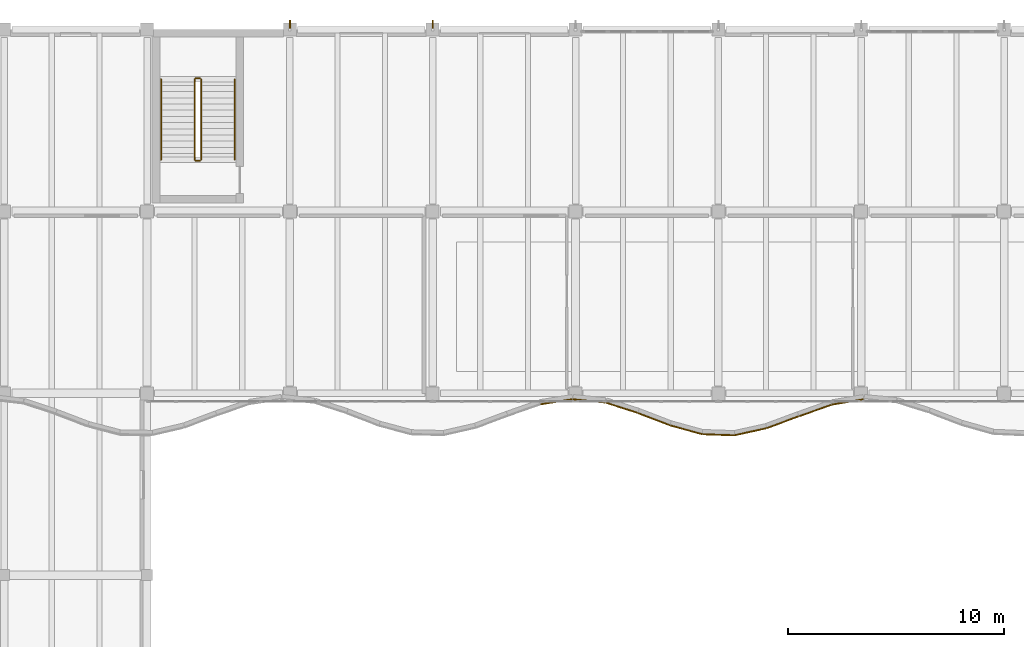
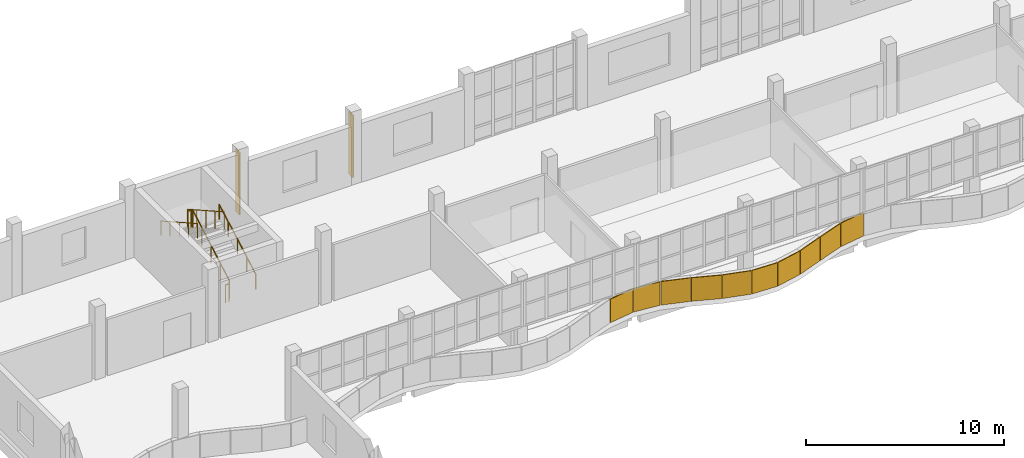
# One storey, part 69 of 76: 10 coverings, 6 railings, 2 shading devices.
"""IFC4 building model written with IfcOpenShell, lengths in metres."""

import ifcopenshell
import ifcopenshell.guid

model = None  # the IFC model being written
_history = None  # IfcOwnerHistory: only IFC2X3 demands one
_inside = {}  # id of a spatial element -> (the spatial element, [elements in it])
_under = {}  # id of a project, library or spatial element -> (it, [spatial elements below it])
_declared = {}  # id of a project -> (the project, [libraries it declares])
_typed = {}  # id of a type object -> (the type object, [elements of that type])
_made_of = {}  # id of a material, layer set ... -> (it, [elements and type objects made of it])


def new_model(schema):
    """Start an empty IFC model of exactly this schema.

    Asked for "IFC4X3", IfcOpenShell would pick the latest addendum, in which some entities
    have other attributes; the version numbers below select the first issue.
    IFC2X3 requires an IfcOwnerHistory on every rooted entity: one is made here for all.
    """
    global model, _history
    if schema == "IFC4X3":
        model = ifcopenshell.file(schema_version=(4, 3, 0, 0))
    else:
        model = ifcopenshell.file(schema=schema)
    _inside.clear()
    _under.clear()
    _declared.clear()
    _typed.clear()
    _made_of.clear()
    _history = None
    if model.schema == "IFC2X3":
        org = make("IfcOrganization", Name="unknown")
        user = make(
            "IfcPersonAndOrganization",
            ThePerson=make("IfcPerson", FamilyName="unknown"),
            TheOrganization=org,
        )
        app = make(
            "IfcApplication",
            ApplicationDeveloper=org,
            Version="unknown",
            ApplicationFullName="unknown",
            ApplicationIdentifier="unknown",
        )
        _history = make(
            "IfcOwnerHistory",
            OwningUser=user,
            OwningApplication=app,
            ChangeAction="ADDED",
            CreationDate=0,
        )
    return model


def make(cls, **values):
    """One entity of the class cls with the attributes given. An attribute that is None is left unset."""
    return model.create_entity(
        cls, **{name: value for name, value in values.items() if value is not None}
    )


def rooted(cls, **values):
    """An entity with a GlobalId (a new one), such as an element, a storey or a relation."""
    return make(cls, GlobalId=ifcopenshell.guid.new(), OwnerHistory=_history, **values)


def si_unit(unit_type, name, prefix=None):
    """IfcSIUnit, for example si_unit("LENGTHUNIT", "METRE", prefix="MILLI")."""
    return make("IfcSIUnit", UnitType=unit_type, Prefix=prefix, Name=name)


def assignment(units):
    """IfcUnitAssignment: the units of a project."""
    return None if units is None else make("IfcUnitAssignment", Units=units)


def point(xyz):
    """IfcCartesianPoint."""
    return None if xyz is None else make("IfcCartesianPoint", Coordinates=xyz)


def direction(xyz):
    """IfcDirection."""
    return None if xyz is None else make("IfcDirection", DirectionRatios=xyz)


def frame(location, z_axis=None, x_axis=None):
    """IfcAxis2Placement3D, a coordinate frame: its origin and axes. An axis left out is left unset."""
    return make(
        "IfcAxis2Placement3D",
        Location=point(location),
        Axis=direction(z_axis),
        RefDirection=direction(x_axis),
    )


def frame_2d(location, x_axis=None):
    """IfcAxis2Placement2D, a coordinate frame in the plane: its origin and x axis."""
    return make(
        "IfcAxis2Placement2D", Location=point(location), RefDirection=direction(x_axis)
    )


def origin():
    """The frame at (0, 0, 0) with its axes left unset."""
    return frame((0.0, 0.0, 0.0))


def origin_2d():
    """The frame at (0, 0) in the plane with its x axis left unset."""
    return frame_2d((0.0, 0.0))


def place(relative_to, where):
    """IfcLocalPlacement: puts the frame where relative to a parent placement (None: the world)."""
    return make(
        "IfcLocalPlacement", PlacementRelTo=relative_to, RelativePlacement=where
    )


def context(
    kind, dimensions, precision=None, world=None, true_north=None, identifier=None
):
    """IfcGeometricRepresentationContext, for example the 3D "Model" context."""
    return make(
        "IfcGeometricRepresentationContext",
        ContextIdentifier=identifier,
        ContextType=kind,
        CoordinateSpaceDimension=dimensions,
        Precision=precision,
        WorldCoordinateSystem=world,
        TrueNorth=true_north,
    )


def subcontext(parent, identifier, kind, view, scale=None):
    """IfcGeometricRepresentationSubContext, for example "Body" below "Model"."""
    return make(
        "IfcGeometricRepresentationSubContext",
        ContextIdentifier=identifier,
        ContextType=kind,
        ParentContext=parent,
        TargetScale=scale,
        TargetView=view,
    )


def project(units=None, contexts=None):
    """IfcProject with its units and contexts."""
    return rooted(
        "IfcProject",
        Name="project",
        RepresentationContexts=contexts,
        UnitsInContext=assignment(units),
    )


def spatial(cls, under=None, at=None, **own):
    """A site, building, storey or space (cls), placed at a placement, below another one or the project."""
    s = rooted(cls, ObjectPlacement=at, **own)
    if under is not None:
        _under.setdefault(under.id(), (under, []))[1].append(s)
    return s


def profile(cls, at=None, kind="AREA", **sizes):
    """A parametric profile (cls). Its sizes go by their IFC names, for example OverallWidth=200.0."""
    return make(cls, ProfileType=kind, Position=at, **sizes)


def rectangle(**sizes):
    """IfcRectangleProfileDef."""
    return profile("IfcRectangleProfileDef", **sizes)


def circle(**sizes):
    """IfcCircleProfileDef."""
    return profile("IfcCircleProfileDef", **sizes)


def extrude(swept, where, along, depth):
    """IfcExtrudedAreaSolid: the profile swept, set in the frame where, extruded along a direction by depth."""
    return make(
        "IfcExtrudedAreaSolid",
        SweptArea=swept,
        Position=where,
        ExtrudedDirection=direction(along),
        Depth=depth,
    )


def shape(context_of_items, identifier, shape_type, items):
    """IfcShapeRepresentation: the items that make up one representation, for example the "Body"."""
    return make(
        "IfcShapeRepresentation",
        ContextOfItems=context_of_items,
        RepresentationIdentifier=identifier,
        RepresentationType=shape_type,
        Items=items,
    )


def material(Name=None, Category=None):
    """IfcMaterial."""
    return make("IfcMaterial", Name=Name, Category=Category)


def layer(
    of_material, thickness, ventilated=None, Name=None, Category=None, Priority=None
):
    """IfcMaterialLayer: one layer of a wall or slab, of a material (None: an air gap)."""
    return make(
        "IfcMaterialLayer",
        Material=of_material,
        LayerThickness=thickness,
        IsVentilated=ventilated,
        Name=Name,
        Category=Category,
        Priority=Priority,
    )


def layer_set(layers, Name=None):
    """IfcMaterialLayerSet."""
    return make("IfcMaterialLayerSet", MaterialLayers=layers, LayerSetName=Name)


def made_of(thing, what):
    """Note that an element or type object is made of a material, layer set ...; save() writes the relation."""
    if what is not None:
        _made_of.setdefault(what.id(), (what, []))[1].append(thing)
    return thing


def type_object(cls, material=None, **own):
    """A type object (cls), such as IfcWallType, which elements share."""
    return made_of(rooted(cls, **own), material)


def element(
    cls,
    number,
    at=None,
    inside=None,
    cuts=None,
    type_object=None,
    material=None,
    context=None,
    identifier="Body",
    shape_type=None,
    held_by="IfcProductDefinitionShape",
    body=None,
    shapes=None,
    **own,
):
    """One element of the class cls, such as IfcWall. Its Tag is "e" and its number.

    at: its placement. inside: the storey or other place that contains it. cuts: it is an
    opening in that element (IfcRelVoidsElement). A single representation is given by context,
    identifier, shape_type and body (its items); several are given by shapes. held_by: the class
    of the entity that holds the representations. save() writes the other relations.
    """
    e = rooted(cls, Tag="e%d" % number, ObjectPlacement=at, **own)
    if body is not None:
        shapes = [shape(context, identifier, shape_type, body)]
    if shapes is not None:
        e.Representation = make(held_by, Representations=shapes)
    if inside is not None:
        _inside.setdefault(inside.id(), (inside, []))[1].append(e)
    if cuts is not None:
        rooted(
            "IfcRelVoidsElement", RelatingBuildingElement=cuts, RelatedOpeningElement=e
        )
    if type_object is not None:
        _typed.setdefault(type_object.id(), (type_object, []))[1].append(e)
    return made_of(e, material)


def aggregate(whole, parts):
    """IfcRelAggregates: a whole, such as a stair, and the parts it consists of."""
    return rooted("IfcRelAggregates", RelatingObject=whole, RelatedObjects=parts)


def save(model, path):
    """Write the relations noted so far, then the file.

    IfcRelAggregates (storeys below a building ...), IfcRelContainedInSpatialStructure (elements
    in a storey), IfcRelDefinesByType, IfcRelAssociatesMaterial and IfcRelDeclares: one each for
    every whole, place, type object, material and project.
    """
    for whole, parts in _under.values():
        aggregate(whole, parts)
    for where, things in _inside.values():
        rooted(
            "IfcRelContainedInSpatialStructure",
            RelatedElements=things,
            RelatingStructure=where,
        )
    for kind, things in _typed.values():
        rooted("IfcRelDefinesByType", RelatedObjects=things, RelatingType=kind)
    for what, things in _made_of.values():
        rooted("IfcRelAssociatesMaterial", RelatedObjects=things, RelatingMaterial=what)
    for by, libraries in _declared.values():
        rooted("IfcRelDeclares", RelatingContext=by, RelatedDefinitions=libraries)
    model.write(path)


model = new_model("IFC4")

# Units and contexts
model_context = context("Model", 3, precision=1e-05, world=origin(), true_north=direction((0.0, 1.0)))
body_context = subcontext(model_context, "Body", "Model", "MODEL_VIEW")
ifc_project = project(units=[si_unit("LENGTHUNIT", "METRE"), si_unit("AREAUNIT", "SQUARE_METRE"), si_unit("VOLUMEUNIT", "CUBIC_METRE"), si_unit("PLANEANGLEUNIT", "RADIAN"), si_unit("MASSUNIT", "GRAM", prefix="KILO")], contexts=[model_context])

# Site, building, storey
site_placement = place(None, origin())
site = spatial("IfcSite", under=ifc_project, at=site_placement, CompositionType="ELEMENT")
building_placement = place(site_placement, origin())
building = spatial("IfcBuilding", under=site, at=building_placement, Name="Qaldarim Faculty of Natural and Applied Sciences", CompositionType="ELEMENT")
storey_placement = place(building_placement, frame((0.0, 0.0, 9.89990234375)))
storey = spatial("IfcBuildingStorey", under=building, at=storey_placement, Name="L02", CompositionType="ELEMENT", Elevation=9.89990234375)

# Railings
ifc_material_1 = material(Name="Architectural stainless steel 316", Category="steel")
railing_type_1 = type_object("IfcRailingType", Name="GuardBalustrade-1100", PredefinedType="BALUSTRADE", material=ifc_material_1)
railing_1_placement = place(storey_placement, frame((48.699951171875, 111.60009765625, 0.16015625)))
element("IfcRailing", 1, at=railing_1_placement, inside=storey, type_object=railing_type_1, Name="ST-B2 L02 stair well guard 1", PredefinedType="BALUSTRADE", context=body_context, shape_type="SweptSolid", body=[
    extrude(circle(Radius=0.02392578125, at=origin_2d()), frame((0.0, 0.0, 1.076171875), z_axis=(0.0, 0.87098476549, 0.491310022576), x_axis=(-1.0, 0.0, 0.0)), (0.0, 0.0, 1.0), 4.253662109375),
    extrude(circle(Radius=0.02099609375, at=origin_2d()), origin(), (0.0, 0.0, 1.0), 1.052001953125),
    extrude(circle(Radius=0.02099609375, at=origin_2d()), frame((0.0, 0.92626953125, 0.5224609375)), (0.0, 0.0, 1.0), 1.052001953125),
    extrude(circle(Radius=0.02099609375, at=origin_2d()), frame((0.0, 1.8525390625, 1.044921875)), (0.0, 0.0, 1.0), 1.052001953125),
    extrude(circle(Radius=0.02099609375, at=origin_2d()), frame((0.0, 2.778564453125, 1.5673828125)), (0.0, 0.0, 1.0), 1.052001953125),
    extrude(circle(Radius=0.02099609375, at=origin_2d()), frame((0.0, 3.704833984375, 2.08984375)), (0.0, 0.0, 1.0), 1.052001953125),
])
railing_2_placement = place(storey_placement, frame((48.64990234375, 115.35498046875, 2.25)))
element("IfcRailing", 2, at=railing_2_placement, inside=storey, type_object=railing_type_1, Name="ST-B2 L02 stair well guard 2", PredefinedType="BALUSTRADE", context=body_context, shape_type="SweptSolid", body=[
    extrude(circle(Radius=0.02392578125, at=origin_2d()), frame((0.0, 0.0, 1.076171875), z_axis=(-1.0, 0.0, 0.0), x_axis=(0.0, -1.0, 0.0)), (0.0, 0.0, 1.0), 0.199951171875),
    extrude(circle(Radius=0.02099609375, at=origin_2d()), origin(), (0.0, 0.0, 1.0), 1.052001953125),
    extrude(circle(Radius=0.02099609375, at=origin_2d()), frame((-0.199951171875, 0.0, 0.0)), (0.0, 0.0, 1.0), 1.052001953125),
])
railing_3_placement = place(storey_placement, frame((48.39990234375, 115.304931640625, 2.41015625)))
element("IfcRailing", 3, at=railing_3_placement, inside=storey, type_object=railing_type_1, Name="ST-B2 L02 stair well guard 3", PredefinedType="BALUSTRADE", context=body_context, shape_type="SweptSolid", body=[
    extrude(circle(Radius=0.02392578125, at=origin_2d()), frame((0.0, 0.0, 1.076171875), z_axis=(0.0, -0.87098476549, 0.491310022576), x_axis=(1.0, 0.0, 0.0)), (0.0, 0.0, 1.0), 4.253662109375),
    extrude(circle(Radius=0.02099609375, at=origin_2d()), origin(), (0.0, 0.0, 1.0), 1.052001953125),
    extrude(circle(Radius=0.02099609375, at=origin_2d()), frame((0.0, -0.92626953125, 0.5224609375)), (0.0, 0.0, 1.0), 1.052001953125),
    extrude(circle(Radius=0.02099609375, at=origin_2d()), frame((0.0, -1.8525390625, 1.044921875)), (0.0, 0.0, 1.0), 1.052001953125),
    extrude(circle(Radius=0.02099609375, at=origin_2d()), frame((0.0, -2.778564453125, 1.5673828125)), (0.0, 0.0, 1.0), 1.052001953125),
    extrude(circle(Radius=0.02099609375, at=origin_2d()), frame((0.0, -3.704833984375, 2.08984375)), (0.0, 0.0, 1.0), 1.052001953125),
])
railing_4_placement = place(storey_placement, frame((48.64990234375, 111.550048828125, 0.0)))
element("IfcRailing", 4, at=railing_4_placement, inside=storey, type_object=railing_type_1, Name="ST-B2 L02 stair well guard 4", PredefinedType="BALUSTRADE", context=body_context, shape_type="SweptSolid", body=[
    extrude(circle(Radius=0.02392578125, at=origin_2d()), frame((0.0, 0.0, 1.076171875), z_axis=(-1.0, 0.0, 0.0), x_axis=(0.0, -1.0, 0.0)), (0.0, 0.0, 1.0), 0.199951171875),
    extrude(circle(Radius=0.02099609375, at=origin_2d()), origin(), (0.0, 0.0, 1.0), 1.052001953125),
    extrude(circle(Radius=0.02099609375, at=origin_2d()), frame((-0.199951171875, 0.0, 0.0)), (0.0, 0.0, 1.0), 1.052001953125),
])

# Coverings
ifc_material_2 = material(Name="White architectural precast concrete C40/50", Category="concrete")
ifc_layer_1 = layer(ifc_material_2, 0.06005859375)
ifc_layer_set_1 = layer_set([ifc_layer_1], Name="White architectural precast concrete C40/50")
covering_type = type_object("IfcCoveringType", Name="LimestoneSpandrelCladding-60", PredefinedType="CLADDING", material=ifc_layer_set_1)
covering_1_placement = place(storey_placement, frame((65.125, 100.409912109375, 0.0), z_axis=(0.0, 0.0, 1.0), x_axis=(0.987870595121, 0.155279384641, 0.0)))
element("IfcCovering", 5, at=covering_1_placement, inside=storey, type_object=covering_type, Name="White limestone wave band fascia L02 chord 22", PredefinedType="CLADDING", context=body_context, shape_type="SweptSolid", body=[
    extrude(rectangle(XDim=1.47509765625, YDim=0.06005859375, at=origin_2d()), origin(), (0.0, 0.0, 1.0), 1.449951171875),
])
covering_2_placement = place(storey_placement, frame((66.625, 100.449951171875, 0.0), z_axis=(0.0, 0.0, 1.0), x_axis=(0.995003429864, -0.099840745983, 0.0)))
element("IfcCovering", 6, at=covering_2_placement, inside=storey, type_object=covering_type, Name="White limestone wave band fascia L02 chord 23", PredefinedType="CLADDING", context=body_context, shape_type="SweptSolid", body=[
    extrude(rectangle(XDim=1.465087890625, YDim=0.06005859375, at=origin_2d()), origin(), (0.0, 0.0, 1.0), 1.449951171875),
])
covering_3_placement = place(storey_placement, frame((68.1298828125, 100.135009765625, 0.0), z_axis=(0.0, 0.0, 1.0), x_axis=(0.952129392742, -0.305695304963, 0.0)))
element("IfcCovering", 7, at=covering_3_placement, inside=storey, type_object=covering_type, Name="White limestone wave band fascia L02 chord 24", PredefinedType="CLADDING", context=body_context, shape_type="SweptSolid", body=[
    extrude(rectangle(XDim=1.530029296875, YDim=0.06005859375, at=origin_2d()), origin(), (0.0, 0.0, 1.0), 1.449951171875),
])
covering_4_placement = place(storey_placement, frame((69.625, 99.60498046875, 0.0), z_axis=(0.0, 0.0, 1.0), x_axis=(0.933342542564, -0.358987044669, 0.0)))
element("IfcCovering", 8, at=covering_4_placement, inside=storey, type_object=covering_type, Name="White limestone wave band fascia L02 chord 25", PredefinedType="CLADDING", context=body_context, shape_type="SweptSolid", body=[
    extrude(rectangle(XDim=1.56005859375, YDim=0.06005859375, at=origin_2d()), origin(), (0.0, 0.0, 1.0), 1.449951171875),
])
covering_5_placement = place(storey_placement, frame((71.114990234375, 99.114990234375, 0.0), z_axis=(0.0, 0.0, 1.0), x_axis=(0.964391431746, -0.264479047139, 0.0)))
element("IfcCovering", 9, at=covering_5_placement, inside=storey, type_object=covering_type, Name="White limestone wave band fascia L02 chord 26", PredefinedType="CLADDING", context=body_context, shape_type="SweptSolid", body=[
    extrude(rectangle(XDim=1.510009765625, YDim=0.06005859375, at=origin_2d()), origin(), (0.0, 0.0, 1.0), 1.449951171875),
])
covering_6_placement = place(storey_placement, frame((72.60009765625, 98.885009765625, 0.0), z_axis=(0.0, 0.0, 1.0), x_axis=(0.999437411591, -0.033538937268, 0.0)))
element("IfcCovering", 10, at=covering_6_placement, inside=storey, type_object=covering_type, Name="White limestone wave band fascia L02 chord 27", PredefinedType="CLADDING", context=body_context, shape_type="SweptSolid", body=[
    extrude(rectangle(XDim=1.449951171875, YDim=0.06005859375, at=origin_2d()), origin(), (0.0, 0.0, 1.0), 1.449951171875),
])
covering_7_placement = place(storey_placement, frame((74.0849609375, 99.02490234375, 0.0), z_axis=(0.0, 0.0, 1.0), x_axis=(0.976492039375, 0.215553466771, 0.0)))
element("IfcCovering", 11, at=covering_7_placement, inside=storey, type_object=covering_type, Name="White limestone wave band fascia L02 chord 28", PredefinedType="CLADDING", context=body_context, shape_type="SweptSolid", body=[
    extrude(rectangle(XDim=1.489990234375, YDim=0.06005859375, at=origin_2d()), origin(), (0.0, 0.0, 1.0), 1.449951171875),
])
covering_8_placement = place(storey_placement, frame((75.574951171875, 99.465087890625, 0.0), z_axis=(0.0, 0.0, 1.0), x_axis=(0.937482597106, 0.348032153864, 0.0)))
element("IfcCovering", 12, at=covering_8_placement, inside=storey, type_object=covering_type, Name="White limestone wave band fascia L02 chord 29", PredefinedType="CLADDING", context=body_context, shape_type="SweptSolid", body=[
    extrude(rectangle(XDim=1.554931640625, YDim=0.06005859375, at=origin_2d()), origin(), (0.0, 0.0, 1.0), 1.449951171875),
])
covering_9_placement = place(storey_placement, frame((77.074951171875, 100.0048828125, 0.0), z_axis=(0.0, 0.0, 1.0), x_axis=(0.94252491309, 0.334135882844, 0.0)))
element("IfcCovering", 13, at=covering_9_placement, inside=storey, type_object=covering_type, Name="White limestone wave band fascia L02 chord 30", PredefinedType="CLADDING", context=body_context, shape_type="SweptSolid", body=[
    extrude(rectangle(XDim=1.544921875, YDim=0.06005859375, at=origin_2d()), origin(), (0.0, 0.0, 1.0), 1.449951171875),
])
covering_10_placement = place(storey_placement, frame((78.570068359375, 100.39990234375, 0.0), z_axis=(0.0, 0.0, 1.0), x_axis=(0.986305758545, 0.164927107111, 0.0)))
element("IfcCovering", 14, at=covering_10_placement, inside=storey, type_object=covering_type, Name="White limestone wave band fascia L02 chord 31", PredefinedType="CLADDING", context=body_context, shape_type="SweptSolid", body=[
    extrude(rectangle(XDim=1.47509765625, YDim=0.06005859375, at=origin_2d()), origin(), (0.0, 0.0, 1.0), 1.449951171875),
])

# Railings
railing_type_2 = type_object("IfcRailingType", Name="StairHandrail-920", PredefinedType="HANDRAIL", material=ifc_material_1)
railing_5_placement = place(storey_placement, frame((50.25, 111.60009765625, 0.16015625)))
element("IfcRailing", 15, at=railing_5_placement, inside=storey, type_object=railing_type_2, Name="ST-B2 L02 stair handrail 1", PredefinedType="HANDRAIL", context=body_context, shape_type="SweptSolid", body=[
    extrude(circle(Radius=0.02392578125, at=origin_2d()), frame((0.0, 0.0, 0.89599609375), z_axis=(0.0, 0.87098476549, 0.491310022576), x_axis=(-1.0, 0.0, 0.0)), (0.0, 0.0, 1.0), 4.253662109375),
    extrude(circle(Radius=0.02099609375, at=origin_2d()), origin(), (0.0, 0.0, 1.0), 0.871826171875),
    extrude(circle(Radius=0.02099609375, at=origin_2d()), frame((0.0, 0.92626953125, 0.5224609375)), (0.0, 0.0, 1.0), 0.871826171875),
    extrude(circle(Radius=0.02099609375, at=origin_2d()), frame((0.0, 1.8525390625, 1.044921875)), (0.0, 0.0, 1.0), 0.871826171875),
    extrude(circle(Radius=0.02099609375, at=origin_2d()), frame((0.0, 2.778564453125, 1.5673828125)), (0.0, 0.0, 1.0), 0.871826171875),
    extrude(circle(Radius=0.02099609375, at=origin_2d()), frame((0.0, 3.704833984375, 2.08984375)), (0.0, 0.0, 1.0), 0.871826171875),
])
railing_6_placement = place(storey_placement, frame((46.85009765625, 115.304931640625, 2.41015625)))
element("IfcRailing", 16, at=railing_6_placement, inside=storey, type_object=railing_type_2, Name="ST-B2 L02 stair handrail 2", PredefinedType="HANDRAIL", context=body_context, shape_type="SweptSolid", body=[
    extrude(circle(Radius=0.02392578125, at=origin_2d()), frame((0.0, 0.0, 0.89599609375), z_axis=(0.0, -0.87098476549, 0.491310022576), x_axis=(1.0, 0.0, 0.0)), (0.0, 0.0, 1.0), 4.253662109375),
    extrude(circle(Radius=0.02099609375, at=origin_2d()), origin(), (0.0, 0.0, 1.0), 0.871826171875),
    extrude(circle(Radius=0.02099609375, at=origin_2d()), frame((0.0, -0.92626953125, 0.5224609375)), (0.0, 0.0, 1.0), 0.871826171875),
    extrude(circle(Radius=0.02099609375, at=origin_2d()), frame((0.0, -1.8525390625, 1.044921875)), (0.0, 0.0, 1.0), 0.871826171875),
    extrude(circle(Radius=0.02099609375, at=origin_2d()), frame((0.0, -2.778564453125, 1.5673828125)), (0.0, 0.0, 1.0), 0.871826171875),
    extrude(circle(Radius=0.02099609375, at=origin_2d()), frame((0.0, -3.704833984375, 2.08984375)), (0.0, 0.0, 1.0), 0.871826171875),
])

# Shading devices
ifc_material_3 = material(Name="Champagne anodised aluminium AW-6063", Category="aluminium")
ifc_layer_2 = layer(ifc_material_3, 0.06005859375)
ifc_layer_set_2 = layer_set([ifc_layer_2], Name="Champagne anodised aluminium AW-6063")
shading_device_type = type_object("IfcShadingDeviceType", Name="VerticalSunFin-ALU450x60", PredefinedType="SHUTTER", material=ifc_layer_set_2)
for number, where, z_axis, x_axis, name in (
    (17, (52.800048828125, 117.824951171875, 0.2001953125), (0.0, 0.0, 1.0), (1.0, 0.0, 0.0), "North pier fin FIN-V4N-L02-X09"),
    (18, (59.39990234375, 117.824951171875, 0.2001953125), (0.0, 0.0, 1.0), (1.0, 0.0, 0.0), "North pier fin FIN-V4N-L02-X10"),
):
    element("IfcShadingDevice", number, at=place(storey_placement, frame(where, z_axis=z_axis, x_axis=x_axis)), inside=storey, type_object=shading_device_type, Name=name, PredefinedType="SHUTTER", context=body_context, shape_type="SweptSolid", body=[
        extrude(rectangle(XDim=0.06005859375, YDim=0.449951171875, at=origin_2d()), origin(), (0.0, 0.0, 1.0), 3.840087890625),
    ])

save(model, "model.ifc")
